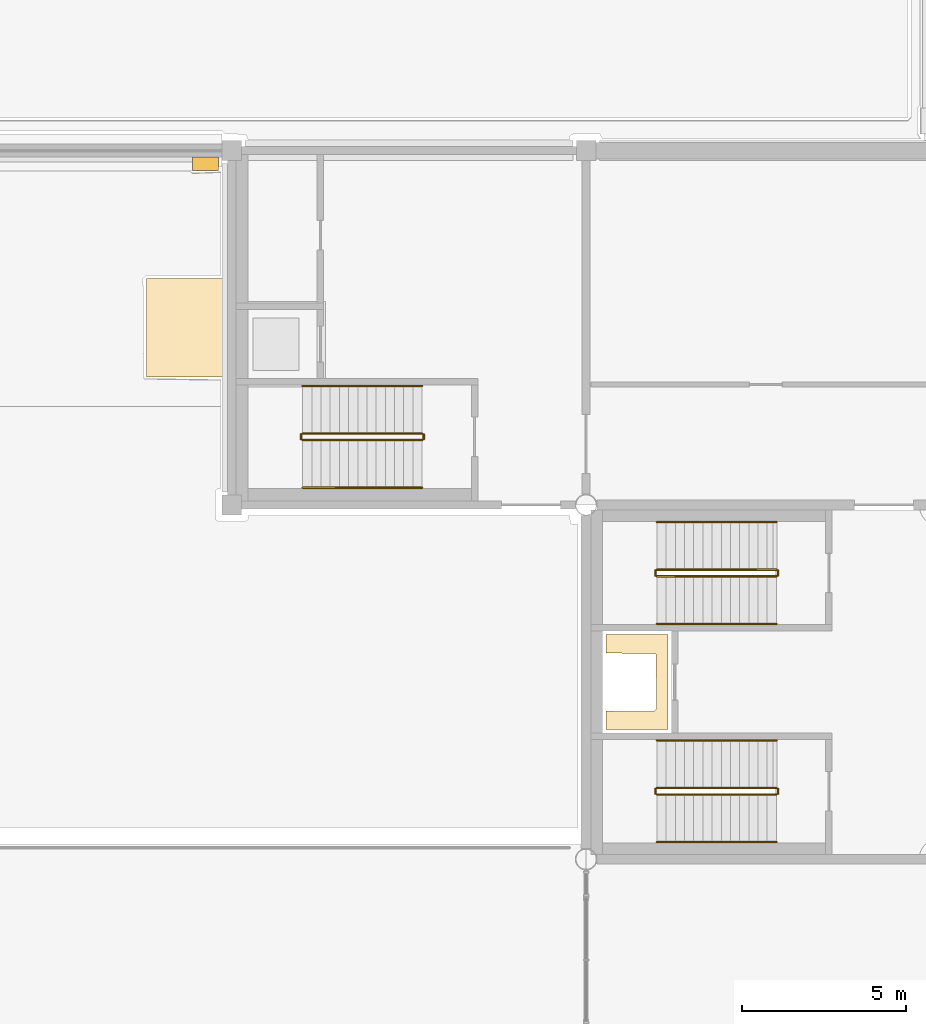
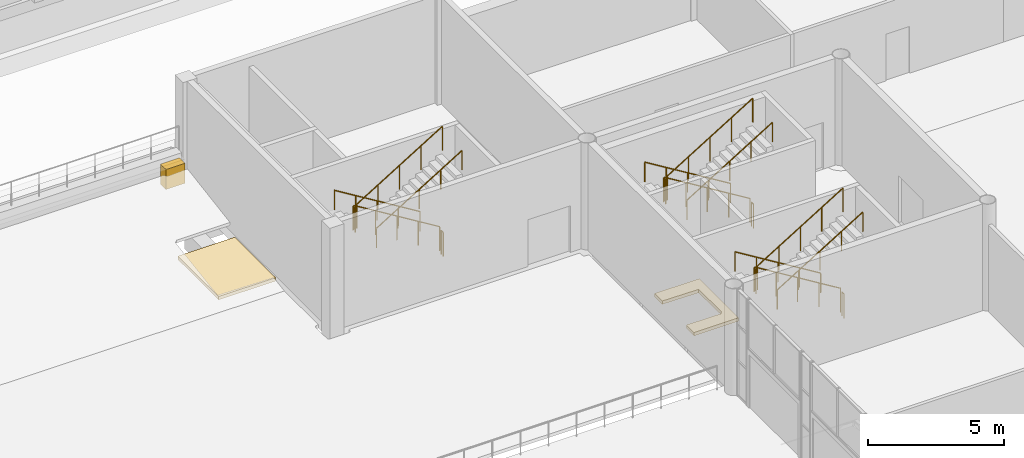
# One storey, part 84 of 91: 18 railings, 3 coverings.
"""IFC4 building model written with IfcOpenShell, lengths in metres."""

from ifc_helpers import new_model, si_unit, direction, frame, origin, origin_2d, place, context, subcontext, project, spatial, polyline, rectangle, circle, outline, extrude, material, layer, layer_set, type_object, element, save


model = new_model("IFC4")

# Units and contexts
model_context = context("Model", 3, precision=1e-05, world=origin(), true_north=direction((0.0, 1.0)))
body_context = subcontext(model_context, "Body", "Model", "MODEL_VIEW")
ifc_project = project(units=[si_unit("LENGTHUNIT", "METRE"), si_unit("AREAUNIT", "SQUARE_METRE"), si_unit("VOLUMEUNIT", "CUBIC_METRE"), si_unit("PLANEANGLEUNIT", "RADIAN"), si_unit("MASSUNIT", "GRAM", prefix="KILO")], contexts=[model_context])

# Site, building, storey
site_placement = place(None, origin())
site = spatial("IfcSite", under=ifc_project, at=site_placement, CompositionType="ELEMENT")
building_placement = place(site_placement, origin())
building = spatial("IfcBuilding", under=site, at=building_placement, Name="Magnolia Steps Interchange", CompositionType="ELEMENT")
storey_placement = place(building_placement, origin())
storey = spatial("IfcBuildingStorey", under=building, at=storey_placement, Name="L00", CompositionType="ELEMENT", Elevation=0.0)

# Covering
ifc_material_1 = material(Name="Lime render")
ifc_layer_1 = layer(ifc_material_1, 0.39990234375)
ifc_layer_set_1 = layer_set([ifc_layer_1], Name="Lime render pilaster")
covering_type_1 = type_object("IfcCoveringType", Name="Lime render pilaster", PredefinedType="CLADDING", material=ifc_layer_set_1)
covering_1_placement = place(storey_placement, frame((41.60009765625, 96.0, 0.5), z_axis=(0.0, 0.0, 1.0), x_axis=(1.0, 0.0, 0.0)))
element("IfcCovering", 1, at=covering_1_placement, inside=storey, type_object=covering_type_1, Name="Pilaster terrace wall W 1 1.2", PredefinedType="CLADDING", context=body_context, shape_type="SweptSolid", body=[
    extrude(rectangle(XDim=0.800048828125, YDim=0.39990234375, at=origin_2d()), origin(), (0.0, 0.0, 1.0), 0.89990234375),
])

# Railings
ifc_material_2 = material(Name="Stainless steel grade 304", Category="steel")
railing_type_1 = type_object("IfcRailingType", Name="Stair guard 1100", PredefinedType="GUARDRAIL", material=ifc_material_2)
railing_1_placement = place(storey_placement, frame((59.0, 76.97412109375, 0.17138671875)))
element("IfcRailing", 2, at=railing_1_placement, inside=storey, type_object=railing_type_1, Name="L00 ST1 stair guard 1", PredefinedType="GUARDRAIL", context=body_context, shape_type="SweptSolid", body=[
    extrude(circle(Radius=0.02392578125, at=origin_2d()), frame((0.0, 0.0, 1.076171875), z_axis=(-0.852850264322, 0.0, 0.5221555579), x_axis=(0.0, -1.0, 0.0)), (0.0, 0.0, 1.0), 4.267822265625),
    extrude(circle(Radius=0.02099609375, at=origin_2d()), origin(), (0.0, 0.0, 1.0), 1.052001953125),
    extrude(circle(Radius=0.02099609375, at=origin_2d()), frame((-0.909912109375, 0.0, 0.55712890625)), (0.0, 0.0, 1.0), 1.052001953125),
    extrude(circle(Radius=0.02099609375, at=origin_2d()), frame((-1.81982421875, 0.0, 1.1142578125)), (0.0, 0.0, 1.0), 1.052001953125),
    extrude(circle(Radius=0.02099609375, at=origin_2d()), frame((-2.72998046875, 0.0, 1.67138671875)), (0.0, 0.0, 1.0), 1.052001953125),
    extrude(circle(Radius=0.02099609375, at=origin_2d()), frame((-3.639892578125, 0.0, 2.228515625)), (0.0, 0.0, 1.0), 1.052001953125),
])
railing_2_placement = place(storey_placement, frame((55.31005859375, 76.949951171875, 2.39990234375)))
element("IfcRailing", 3, at=railing_2_placement, inside=storey, type_object=railing_type_1, Name="L00 ST1 stair guard 2", PredefinedType="GUARDRAIL", context=body_context, shape_type="SweptSolid", body=[
    extrude(circle(Radius=0.02392578125, at=origin_2d()), frame((0.0, 0.0, 1.076171875), z_axis=(0.0, -1.0, 0.0), x_axis=(1.0, 0.0, 0.0)), (0.0, 0.0, 1.0), 0.14990234375),
    extrude(circle(Radius=0.02099609375, at=origin_2d()), origin(), (0.0, 0.0, 1.0), 1.052001953125),
    extrude(circle(Radius=0.02099609375, at=origin_2d()), frame((0.0, -0.14990234375, 0.0)), (0.0, 0.0, 1.0), 1.052001953125),
])
railing_3_placement = place(storey_placement, frame((55.360107421875, 76.77587890625, 2.571533203125)))
element("IfcRailing", 4, at=railing_3_placement, inside=storey, type_object=railing_type_1, Name="L00 ST1 stair guard 3", PredefinedType="GUARDRAIL", context=body_context, shape_type="SweptSolid", body=[
    extrude(circle(Radius=0.02392578125, at=origin_2d()), frame((0.0, 0.0, 1.076171875), z_axis=(0.852850264322, 0.0, 0.5221555579), x_axis=(0.0, 1.0, 0.0)), (0.0, 0.0, 1.0), 4.267822265625),
    extrude(circle(Radius=0.02099609375, at=origin_2d()), origin(), (0.0, 0.0, 1.0), 1.052001953125),
    extrude(circle(Radius=0.02099609375, at=origin_2d()), frame((0.909912109375, 0.0, 0.55712890625)), (0.0, 0.0, 1.0), 1.052001953125),
    extrude(circle(Radius=0.02099609375, at=origin_2d()), frame((1.81982421875, 0.0, 1.1142578125)), (0.0, 0.0, 1.0), 1.052001953125),
    extrude(circle(Radius=0.02099609375, at=origin_2d()), frame((2.72998046875, 0.0, 1.67138671875)), (0.0, 0.0, 1.0), 1.052001953125),
    extrude(circle(Radius=0.02099609375, at=origin_2d()), frame((3.639892578125, 0.0, 2.228515625)), (0.0, 0.0, 1.0), 1.052001953125),
])
railing_4_placement = place(storey_placement, frame((59.050048828125, 76.949951171875, 0.0)))
element("IfcRailing", 5, at=railing_4_placement, inside=storey, type_object=railing_type_1, Name="L00 ST1 stair guard 4", PredefinedType="GUARDRAIL", context=body_context, shape_type="SweptSolid", body=[
    extrude(circle(Radius=0.02392578125, at=origin_2d()), frame((0.0, 0.0, 1.076171875), z_axis=(0.0, -1.0, 0.0), x_axis=(1.0, 0.0, 0.0)), (0.0, 0.0, 1.0), 0.14990234375),
    extrude(circle(Radius=0.02099609375, at=origin_2d()), origin(), (0.0, 0.0, 1.0), 1.052001953125),
    extrude(circle(Radius=0.02099609375, at=origin_2d()), frame((0.0, -0.14990234375, 0.0)), (0.0, 0.0, 1.0), 1.052001953125),
])
railing_5_placement = place(storey_placement, frame((59.0, 83.6240234375, 0.17138671875)))
element("IfcRailing", 6, at=railing_5_placement, inside=storey, type_object=railing_type_1, Name="L00 ST2 stair guard 1", PredefinedType="GUARDRAIL", context=body_context, shape_type="SweptSolid", body=[
    extrude(circle(Radius=0.02392578125, at=origin_2d()), frame((0.0, 0.0, 1.076171875), z_axis=(-0.852850264322, 0.0, 0.5221555579), x_axis=(0.0, -1.0, 0.0)), (0.0, 0.0, 1.0), 4.267822265625),
    extrude(circle(Radius=0.02099609375, at=origin_2d()), origin(), (0.0, 0.0, 1.0), 1.052001953125),
    extrude(circle(Radius=0.02099609375, at=origin_2d()), frame((-0.909912109375, 0.0, 0.55712890625)), (0.0, 0.0, 1.0), 1.052001953125),
    extrude(circle(Radius=0.02099609375, at=origin_2d()), frame((-1.81982421875, 0.0, 1.1142578125)), (0.0, 0.0, 1.0), 1.052001953125),
    extrude(circle(Radius=0.02099609375, at=origin_2d()), frame((-2.72998046875, 0.0, 1.67138671875)), (0.0, 0.0, 1.0), 1.052001953125),
    extrude(circle(Radius=0.02099609375, at=origin_2d()), frame((-3.639892578125, 0.0, 2.228515625)), (0.0, 0.0, 1.0), 1.052001953125),
])
railing_6_placement = place(storey_placement, frame((55.31005859375, 83.60009765625, 2.39990234375)))
element("IfcRailing", 7, at=railing_6_placement, inside=storey, type_object=railing_type_1, Name="L00 ST2 stair guard 2", PredefinedType="GUARDRAIL", context=body_context, shape_type="SweptSolid", body=[
    extrude(circle(Radius=0.02392578125, at=origin_2d()), frame((0.0, 0.0, 1.076171875), z_axis=(0.0, -1.0, 0.0), x_axis=(1.0, 0.0, 0.0)), (0.0, 0.0, 1.0), 0.150146484375),
    extrude(circle(Radius=0.02099609375, at=origin_2d()), origin(), (0.0, 0.0, 1.0), 1.052001953125),
    extrude(circle(Radius=0.02099609375, at=origin_2d()), frame((0.0, -0.150146484375, 0.0)), (0.0, 0.0, 1.0), 1.052001953125),
])
railing_7_placement = place(storey_placement, frame((55.360107421875, 83.426025390625, 2.571533203125)))
element("IfcRailing", 8, at=railing_7_placement, inside=storey, type_object=railing_type_1, Name="L00 ST2 stair guard 3", PredefinedType="GUARDRAIL", context=body_context, shape_type="SweptSolid", body=[
    extrude(circle(Radius=0.02392578125, at=origin_2d()), frame((0.0, 0.0, 1.076171875), z_axis=(0.852850264322, 0.0, 0.5221555579), x_axis=(0.0, 1.0, 0.0)), (0.0, 0.0, 1.0), 4.267822265625),
    extrude(circle(Radius=0.02099609375, at=origin_2d()), origin(), (0.0, 0.0, 1.0), 1.052001953125),
    extrude(circle(Radius=0.02099609375, at=origin_2d()), frame((0.909912109375, 0.0, 0.55712890625)), (0.0, 0.0, 1.0), 1.052001953125),
    extrude(circle(Radius=0.02099609375, at=origin_2d()), frame((1.81982421875, 0.0, 1.1142578125)), (0.0, 0.0, 1.0), 1.052001953125),
    extrude(circle(Radius=0.02099609375, at=origin_2d()), frame((2.72998046875, 0.0, 1.67138671875)), (0.0, 0.0, 1.0), 1.052001953125),
    extrude(circle(Radius=0.02099609375, at=origin_2d()), frame((3.639892578125, 0.0, 2.228515625)), (0.0, 0.0, 1.0), 1.052001953125),
])
railing_8_placement = place(storey_placement, frame((59.050048828125, 83.60009765625, 0.0)))
element("IfcRailing", 9, at=railing_8_placement, inside=storey, type_object=railing_type_1, Name="L00 ST2 stair guard 4", PredefinedType="GUARDRAIL", context=body_context, shape_type="SweptSolid", body=[
    extrude(circle(Radius=0.02392578125, at=origin_2d()), frame((0.0, 0.0, 1.076171875), z_axis=(0.0, -1.0, 0.0), x_axis=(1.0, 0.0, 0.0)), (0.0, 0.0, 1.0), 0.150146484375),
    extrude(circle(Radius=0.02099609375, at=origin_2d()), origin(), (0.0, 0.0, 1.0), 1.052001953125),
    extrude(circle(Radius=0.02099609375, at=origin_2d()), frame((0.0, -0.150146484375, 0.0)), (0.0, 0.0, 1.0), 1.052001953125),
])
railing_9_placement = place(storey_placement, frame((48.199951171875, 87.77392578125, 0.17138671875)))
element("IfcRailing", 10, at=railing_9_placement, inside=storey, type_object=railing_type_1, Name="L00 ST26 stair guard 1", PredefinedType="GUARDRAIL", context=body_context, shape_type="SweptSolid", body=[
    extrude(circle(Radius=0.02392578125, at=origin_2d()), frame((0.0, 0.0, 1.076171875), z_axis=(-0.852850264322, 0.0, 0.5221555579), x_axis=(0.0, -1.0, 0.0)), (0.0, 0.0, 1.0), 4.267822265625),
    extrude(circle(Radius=0.02099609375, at=origin_2d()), origin(), (0.0, 0.0, 1.0), 1.052001953125),
    extrude(circle(Radius=0.02099609375, at=origin_2d()), frame((-0.909912109375, 0.0, 0.55712890625)), (0.0, 0.0, 1.0), 1.052001953125),
    extrude(circle(Radius=0.02099609375, at=origin_2d()), frame((-1.81982421875, 0.0, 1.1142578125)), (0.0, 0.0, 1.0), 1.052001953125),
    extrude(circle(Radius=0.02099609375, at=origin_2d()), frame((-2.72998046875, 0.0, 1.67138671875)), (0.0, 0.0, 1.0), 1.052001953125),
    extrude(circle(Radius=0.02099609375, at=origin_2d()), frame((-3.639892578125, 0.0, 2.228515625)), (0.0, 0.0, 1.0), 1.052001953125),
])
railing_10_placement = place(storey_placement, frame((44.510009765625, 87.75, 2.39990234375)))
element("IfcRailing", 11, at=railing_10_placement, inside=storey, type_object=railing_type_1, Name="L00 ST26 stair guard 2", PredefinedType="GUARDRAIL", context=body_context, shape_type="SweptSolid", body=[
    extrude(circle(Radius=0.02392578125, at=origin_2d()), frame((0.0, 0.0, 1.076171875), z_axis=(0.0, -1.0, 0.0), x_axis=(1.0, 0.0, 0.0)), (0.0, 0.0, 1.0), 0.14990234375),
    extrude(circle(Radius=0.02099609375, at=origin_2d()), origin(), (0.0, 0.0, 1.0), 1.052001953125),
    extrude(circle(Radius=0.02099609375, at=origin_2d()), frame((0.0, -0.14990234375, 0.0)), (0.0, 0.0, 1.0), 1.052001953125),
])
railing_11_placement = place(storey_placement, frame((44.56005859375, 87.575927734375, 2.571533203125)))
element("IfcRailing", 12, at=railing_11_placement, inside=storey, type_object=railing_type_1, Name="L00 ST26 stair guard 3", PredefinedType="GUARDRAIL", context=body_context, shape_type="SweptSolid", body=[
    extrude(circle(Radius=0.02392578125, at=origin_2d()), frame((0.0, 0.0, 1.076171875), z_axis=(0.852850264322, 0.0, 0.5221555579), x_axis=(0.0, 1.0, 0.0)), (0.0, 0.0, 1.0), 4.267822265625),
    extrude(circle(Radius=0.02099609375, at=origin_2d()), origin(), (0.0, 0.0, 1.0), 1.052001953125),
    extrude(circle(Radius=0.02099609375, at=origin_2d()), frame((0.909912109375, 0.0, 0.55712890625)), (0.0, 0.0, 1.0), 1.052001953125),
    extrude(circle(Radius=0.02099609375, at=origin_2d()), frame((1.81982421875, 0.0, 1.1142578125)), (0.0, 0.0, 1.0), 1.052001953125),
    extrude(circle(Radius=0.02099609375, at=origin_2d()), frame((2.72998046875, 0.0, 1.67138671875)), (0.0, 0.0, 1.0), 1.052001953125),
    extrude(circle(Radius=0.02099609375, at=origin_2d()), frame((3.639892578125, 0.0, 2.228515625)), (0.0, 0.0, 1.0), 1.052001953125),
])
railing_12_placement = place(storey_placement, frame((48.25, 87.75, 0.0)))
element("IfcRailing", 13, at=railing_12_placement, inside=storey, type_object=railing_type_1, Name="L00 ST26 stair guard 4", PredefinedType="GUARDRAIL", context=body_context, shape_type="SweptSolid", body=[
    extrude(circle(Radius=0.02392578125, at=origin_2d()), frame((0.0, 0.0, 1.076171875), z_axis=(0.0, -1.0, 0.0), x_axis=(1.0, 0.0, 0.0)), (0.0, 0.0, 1.0), 0.14990234375),
    extrude(circle(Radius=0.02099609375, at=origin_2d()), origin(), (0.0, 0.0, 1.0), 1.052001953125),
    extrude(circle(Radius=0.02099609375, at=origin_2d()), frame((0.0, -0.14990234375, 0.0)), (0.0, 0.0, 1.0), 1.052001953125),
])
ifc_material_3 = material(Name="Stainless steel grade 304", Category="steel")
railing_type_2 = type_object("IfcRailingType", Name="Stair handrail 900", PredefinedType="HANDRAIL", material=ifc_material_3)
railing_13_placement = place(storey_placement, frame((59.0, 78.426025390625, 0.17138671875)))
element("IfcRailing", 14, at=railing_13_placement, inside=storey, type_object=railing_type_2, Name="L00 ST1 stair handrail 1", PredefinedType="HANDRAIL", context=body_context, shape_type="SweptSolid", body=[
    extrude(circle(Radius=0.02392578125, at=origin_2d()), frame((0.0, 0.0, 0.8759765625), z_axis=(-0.852850264322, 0.0, 0.5221555579), x_axis=(0.0, -1.0, 0.0)), (0.0, 0.0, 1.0), 4.267822265625),
    extrude(circle(Radius=0.02099609375, at=origin_2d()), origin(), (0.0, 0.0, 1.0), 0.851806640625),
    extrude(circle(Radius=0.02099609375, at=origin_2d()), frame((-0.909912109375, 0.0, 0.55712890625)), (0.0, 0.0, 1.0), 0.851806640625),
    extrude(circle(Radius=0.02099609375, at=origin_2d()), frame((-1.81982421875, 0.0, 1.1142578125)), (0.0, 0.0, 1.0), 0.851806640625),
    extrude(circle(Radius=0.02099609375, at=origin_2d()), frame((-2.72998046875, 0.0, 1.67138671875)), (0.0, 0.0, 1.0), 0.851806640625),
    extrude(circle(Radius=0.02099609375, at=origin_2d()), frame((-3.639892578125, 0.0, 2.228515625)), (0.0, 0.0, 1.0), 0.851806640625),
])
railing_14_placement = place(storey_placement, frame((55.360107421875, 75.323974609375, 2.571533203125)))
element("IfcRailing", 15, at=railing_14_placement, inside=storey, type_object=railing_type_2, Name="L00 ST1 stair handrail 2", PredefinedType="HANDRAIL", context=body_context, shape_type="SweptSolid", body=[
    extrude(circle(Radius=0.02392578125, at=origin_2d()), frame((0.0, 0.0, 0.8759765625), z_axis=(0.852850264322, 0.0, 0.5221555579), x_axis=(0.0, 1.0, 0.0)), (0.0, 0.0, 1.0), 4.267822265625),
    extrude(circle(Radius=0.02099609375, at=origin_2d()), origin(), (0.0, 0.0, 1.0), 0.851806640625),
    extrude(circle(Radius=0.02099609375, at=origin_2d()), frame((0.909912109375, 0.0, 0.55712890625)), (0.0, 0.0, 1.0), 0.851806640625),
    extrude(circle(Radius=0.02099609375, at=origin_2d()), frame((1.81982421875, 0.0, 1.1142578125)), (0.0, 0.0, 1.0), 0.851806640625),
    extrude(circle(Radius=0.02099609375, at=origin_2d()), frame((2.72998046875, 0.0, 1.67138671875)), (0.0, 0.0, 1.0), 0.851806640625),
    extrude(circle(Radius=0.02099609375, at=origin_2d()), frame((3.639892578125, 0.0, 2.228515625)), (0.0, 0.0, 1.0), 0.851806640625),
])
railing_15_placement = place(storey_placement, frame((59.0, 85.075927734375, 0.17138671875)))
element("IfcRailing", 16, at=railing_15_placement, inside=storey, type_object=railing_type_2, Name="L00 ST2 stair handrail 1", PredefinedType="HANDRAIL", context=body_context, shape_type="SweptSolid", body=[
    extrude(circle(Radius=0.02392578125, at=origin_2d()), frame((0.0, 0.0, 0.8759765625), z_axis=(-0.852850264322, 0.0, 0.5221555579), x_axis=(0.0, -1.0, 0.0)), (0.0, 0.0, 1.0), 4.267822265625),
    extrude(circle(Radius=0.02099609375, at=origin_2d()), origin(), (0.0, 0.0, 1.0), 0.851806640625),
    extrude(circle(Radius=0.02099609375, at=origin_2d()), frame((-0.909912109375, 0.0, 0.55712890625)), (0.0, 0.0, 1.0), 0.851806640625),
    extrude(circle(Radius=0.02099609375, at=origin_2d()), frame((-1.81982421875, 0.0, 1.1142578125)), (0.0, 0.0, 1.0), 0.851806640625),
    extrude(circle(Radius=0.02099609375, at=origin_2d()), frame((-2.72998046875, 0.0, 1.67138671875)), (0.0, 0.0, 1.0), 0.851806640625),
    extrude(circle(Radius=0.02099609375, at=origin_2d()), frame((-3.639892578125, 0.0, 2.228515625)), (0.0, 0.0, 1.0), 0.851806640625),
])
railing_16_placement = place(storey_placement, frame((55.360107421875, 81.97412109375, 2.571533203125)))
element("IfcRailing", 17, at=railing_16_placement, inside=storey, type_object=railing_type_2, Name="L00 ST2 stair handrail 2", PredefinedType="HANDRAIL", context=body_context, shape_type="SweptSolid", body=[
    extrude(circle(Radius=0.02392578125, at=origin_2d()), frame((0.0, 0.0, 0.8759765625), z_axis=(0.852850264322, 0.0, 0.5221555579), x_axis=(0.0, 1.0, 0.0)), (0.0, 0.0, 1.0), 4.267822265625),
    extrude(circle(Radius=0.02099609375, at=origin_2d()), origin(), (0.0, 0.0, 1.0), 0.851806640625),
    extrude(circle(Radius=0.02099609375, at=origin_2d()), frame((0.909912109375, 0.0, 0.55712890625)), (0.0, 0.0, 1.0), 0.851806640625),
    extrude(circle(Radius=0.02099609375, at=origin_2d()), frame((1.81982421875, 0.0, 1.1142578125)), (0.0, 0.0, 1.0), 0.851806640625),
    extrude(circle(Radius=0.02099609375, at=origin_2d()), frame((2.72998046875, 0.0, 1.67138671875)), (0.0, 0.0, 1.0), 0.851806640625),
    extrude(circle(Radius=0.02099609375, at=origin_2d()), frame((3.639892578125, 0.0, 2.228515625)), (0.0, 0.0, 1.0), 0.851806640625),
])
railing_17_placement = place(storey_placement, frame((48.199951171875, 89.22607421875, 0.17138671875)))
element("IfcRailing", 18, at=railing_17_placement, inside=storey, type_object=railing_type_2, Name="L00 ST26 stair handrail 1", PredefinedType="HANDRAIL", context=body_context, shape_type="SweptSolid", body=[
    extrude(circle(Radius=0.02392578125, at=origin_2d()), frame((0.0, 0.0, 0.8759765625), z_axis=(-0.852850264322, 0.0, 0.5221555579), x_axis=(0.0, -1.0, 0.0)), (0.0, 0.0, 1.0), 4.267822265625),
    extrude(circle(Radius=0.02099609375, at=origin_2d()), origin(), (0.0, 0.0, 1.0), 0.851806640625),
    extrude(circle(Radius=0.02099609375, at=origin_2d()), frame((-0.909912109375, 0.0, 0.55712890625)), (0.0, 0.0, 1.0), 0.851806640625),
    extrude(circle(Radius=0.02099609375, at=origin_2d()), frame((-1.81982421875, 0.0, 1.1142578125)), (0.0, 0.0, 1.0), 0.851806640625),
    extrude(circle(Radius=0.02099609375, at=origin_2d()), frame((-2.72998046875, 0.0, 1.67138671875)), (0.0, 0.0, 1.0), 0.851806640625),
    extrude(circle(Radius=0.02099609375, at=origin_2d()), frame((-3.639892578125, 0.0, 2.228515625)), (0.0, 0.0, 1.0), 0.851806640625),
])
railing_18_placement = place(storey_placement, frame((44.56005859375, 86.1240234375, 2.571533203125)))
element("IfcRailing", 19, at=railing_18_placement, inside=storey, type_object=railing_type_2, Name="L00 ST26 stair handrail 2", PredefinedType="HANDRAIL", context=body_context, shape_type="SweptSolid", body=[
    extrude(circle(Radius=0.02392578125, at=origin_2d()), frame((0.0, 0.0, 0.8759765625), z_axis=(0.852850264322, 0.0, 0.5221555579), x_axis=(0.0, 1.0, 0.0)), (0.0, 0.0, 1.0), 4.267822265625),
    extrude(circle(Radius=0.02099609375, at=origin_2d()), origin(), (0.0, 0.0, 1.0), 0.851806640625),
    extrude(circle(Radius=0.02099609375, at=origin_2d()), frame((0.909912109375, 0.0, 0.55712890625)), (0.0, 0.0, 1.0), 0.851806640625),
    extrude(circle(Radius=0.02099609375, at=origin_2d()), frame((1.81982421875, 0.0, 1.1142578125)), (0.0, 0.0, 1.0), 0.851806640625),
    extrude(circle(Radius=0.02099609375, at=origin_2d()), frame((2.72998046875, 0.0, 1.67138671875)), (0.0, 0.0, 1.0), 0.851806640625),
    extrude(circle(Radius=0.02099609375, at=origin_2d()), frame((3.639892578125, 0.0, 2.228515625)), (0.0, 0.0, 1.0), 0.851806640625),
])

# Coverings
ifc_material_4 = material(Name="Natural stone paving", Category="masonry")
ifc_layer_2 = layer(ifc_material_4, 0.14990234375)
ifc_layer_set_2 = layer_set([ifc_layer_2], Name="Stone paving 150")
covering_type_2 = type_object("IfcCoveringType", Name="Stone paving 150", PredefinedType="FLOORING", material=ifc_layer_set_2)
covering_2_placement = place(storey_placement, frame((41.012451171875, 91.0, -0.14990234375), z_axis=(0.0, 0.0, 1.0), x_axis=(1.0, 0.0, 0.0)))
element("IfcCovering", 20, at=covering_2_placement, inside=storey, type_object=covering_type_2, Name="Entrance paving", PredefinedType="FLOORING", context=body_context, shape_type="SweptSolid", body=[
    extrude(rectangle(XDim=2.425048828125, YDim=3.0, at=origin_2d()), origin(), (0.0, 0.0, 1.0), 0.14990234375),
])
covering_3_placement = place(storey_placement, frame((0.0, 0.0, -0.14990234375)))
element("IfcCovering", 21, at=covering_3_placement, inside=storey, type_object=covering_type_2, Name="Court paving west 3", PredefinedType="FLOORING", context=body_context, shape_type="SweptSolid", body=[
    extrude(outline(polyline([(55.699951171875, 81.64990234375), (55.699951171875, 78.75), (53.800048828125, 78.75), (53.800048828125, 79.3134765625), (55.259765625, 79.300537109375), (55.35009765625, 79.39990234375), (55.327392578125, 81.0634765625), (53.800048828125, 81.08642578125), (53.800048828125, 81.64990234375), (55.699951171875, 81.64990234375)])), origin(), (0.0, 0.0, 1.0), 0.14990234375),
])

save(model, "model.ifc")
